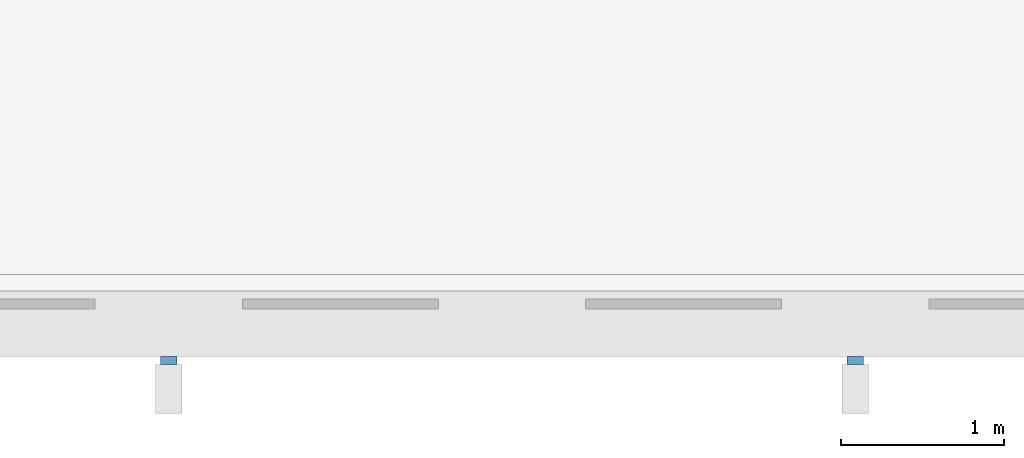
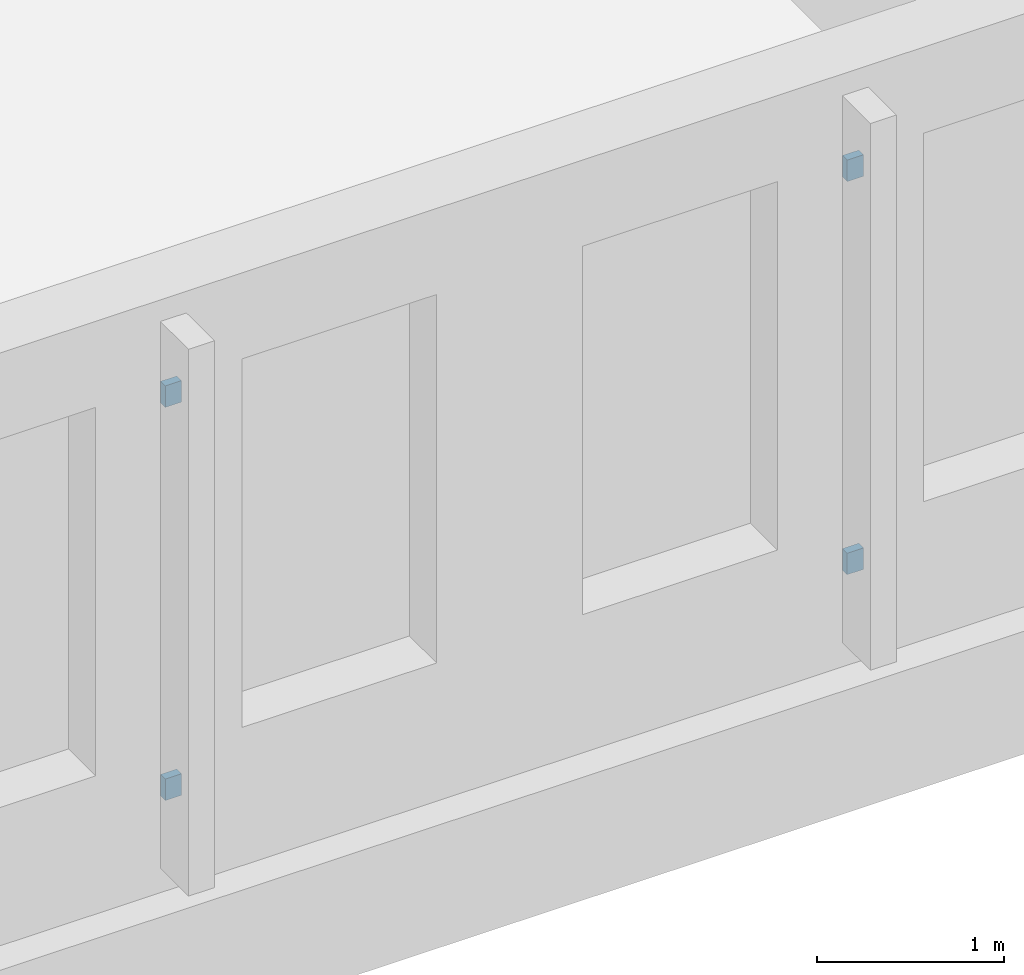
# One storey, part 50 of 79: 4 discrete accessories.
"""IFC4 building model written with IfcOpenShell, lengths in metres."""

from ifc_helpers import new_model, si_unit, direction, frame, origin, origin_2d, place, context, subcontext, project, spatial, rectangle, extrude, material, layer, layer_set, type_object, element, save


model = new_model("IFC4")

# Units and contexts
model_context = context("Model", 3, precision=1e-05, world=origin(), true_north=direction((0.0, 1.0)))
body_context = subcontext(model_context, "Body", "Model", "MODEL_VIEW")
ifc_project = project(units=[si_unit("LENGTHUNIT", "METRE"), si_unit("AREAUNIT", "SQUARE_METRE"), si_unit("VOLUMEUNIT", "CUBIC_METRE"), si_unit("PLANEANGLEUNIT", "RADIAN"), si_unit("MASSUNIT", "GRAM", prefix="KILO")], contexts=[model_context])

# Site, building, storey
site_placement = place(None, origin())
site = spatial("IfcSite", under=ifc_project, at=site_placement, CompositionType="ELEMENT")
building_placement = place(site_placement, origin())
building = spatial("IfcBuilding", under=site, at=building_placement, Name="Larchfold Concert Hall", CompositionType="ELEMENT")
storey_placement = place(building_placement, frame((0.0, 0.0, 14.39990234375)))
storey = spatial("IfcBuildingStorey", under=building, at=storey_placement, Name="L03", CompositionType="ELEMENT", Elevation=14.39990234375)

# Discrete accessories
ifc_material = material(Name="Steel S355 galvanised bracket", Category="steel")
ifc_layer = layer(ifc_material, 0.10009765625)
ifc_layer_set = layer_set([ifc_layer], Name="Steel S355 galvanised bracket")
discrete_accessory_type = type_object("IfcDiscreteAccessoryType", Name="Fin support bracket short", PredefinedType="BRACKET", material=ifc_layer_set)
for number, where, z_axis, x_axis, name in (
    (1, (27.89990234375, 0.375, 0.6298828125), (0.0, 0.0, 1.0), (0.0, -1.0, 0.0), "Fin bracket FN-L03-022-1"),
    (2, (27.89990234375, 0.375, 3.18994140625), (0.0, 0.0, 1.0), (0.0, -1.0, 0.0), "Fin bracket FN-L03-022-2"),
    (3, (32.10009765625, 0.375, 0.6298828125), (0.0, 0.0, 1.0), (0.0, -1.0, 0.0), "Fin bracket FN-L03-023-1"),
    (4, (32.10009765625, 0.375, 3.18994140625), (0.0, 0.0, 1.0), (0.0, -1.0, 0.0), "Fin bracket FN-L03-023-2"),
):
    element("IfcDiscreteAccessory", number, at=place(storey_placement, frame(where, z_axis=z_axis, x_axis=x_axis)), inside=storey, type_object=discrete_accessory_type, Name=name, PredefinedType="BRACKET", context=body_context, shape_type="SweptSolid", body=[
        extrude(rectangle(XDim=0.050048828125, YDim=0.10009765625, at=origin_2d()), origin(), (0.0, 0.0, 1.0), 0.139892578125),
    ])

save(model, "model.ifc")
